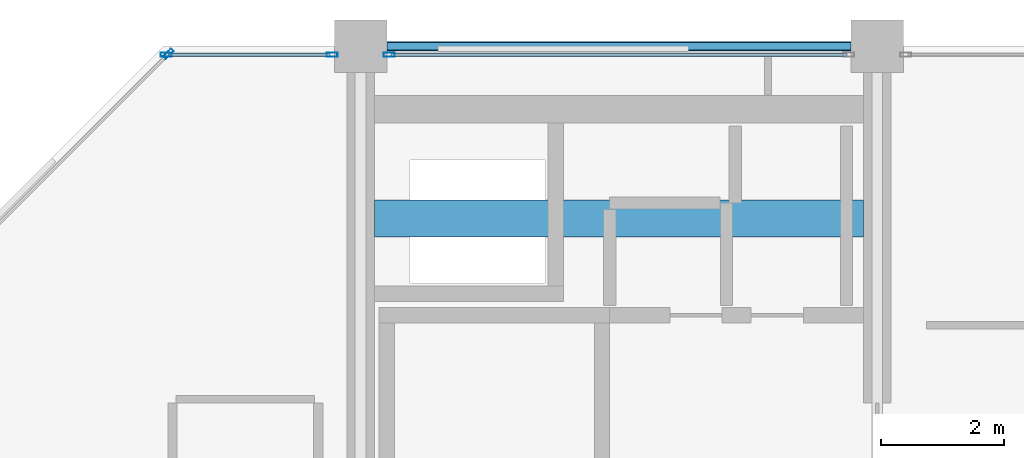
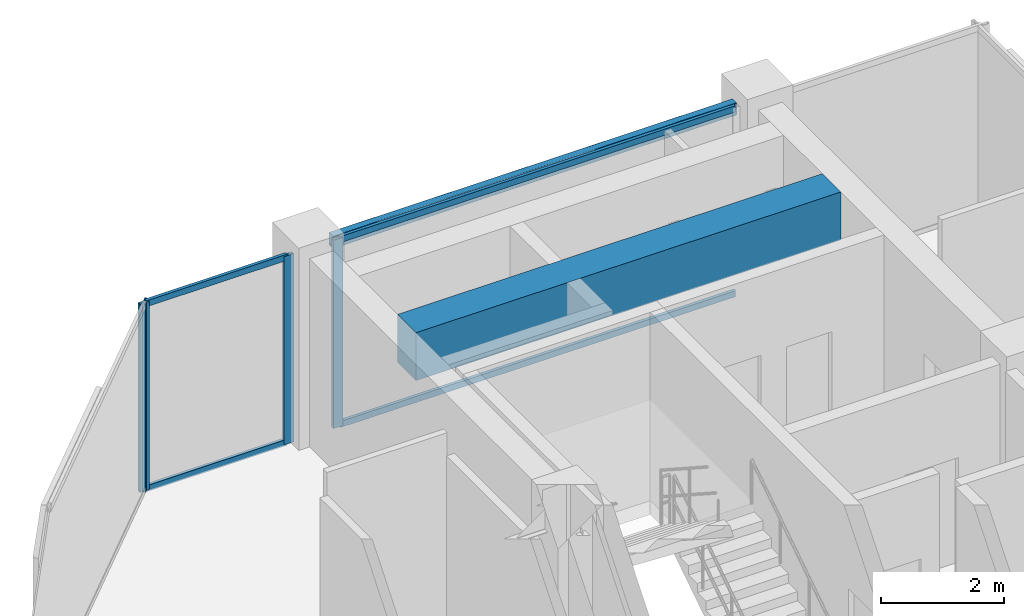
# One storey, part 17 of 24: 8 members, 2 beams, 3 elements without a shape of their own.
"""IFC4 building model written with IfcOpenShell, lengths in metres."""

import ifcopenshell
import ifcopenshell.guid

model = None  # the IFC model being written
_history = None  # IfcOwnerHistory: only IFC2X3 demands one
_inside = {}  # id of a spatial element -> (the spatial element, [elements in it])
_under = {}  # id of a project, library or spatial element -> (it, [spatial elements below it])
_declared = {}  # id of a project -> (the project, [libraries it declares])
_typed = {}  # id of a type object -> (the type object, [elements of that type])
_made_of = {}  # id of a material, layer set ... -> (it, [elements and type objects made of it])


def new_model(schema):
    """Start an empty IFC model of exactly this schema.

    Asked for "IFC4X3", IfcOpenShell would pick the latest addendum, in which some entities
    have other attributes; the version numbers below select the first issue.
    IFC2X3 requires an IfcOwnerHistory on every rooted entity: one is made here for all.
    """
    global model, _history
    if schema == "IFC4X3":
        model = ifcopenshell.file(schema_version=(4, 3, 0, 0))
    else:
        model = ifcopenshell.file(schema=schema)
    _inside.clear()
    _under.clear()
    _declared.clear()
    _typed.clear()
    _made_of.clear()
    _history = None
    if model.schema == "IFC2X3":
        org = make("IfcOrganization", Name="unknown")
        user = make(
            "IfcPersonAndOrganization",
            ThePerson=make("IfcPerson", FamilyName="unknown"),
            TheOrganization=org,
        )
        app = make(
            "IfcApplication",
            ApplicationDeveloper=org,
            Version="unknown",
            ApplicationFullName="unknown",
            ApplicationIdentifier="unknown",
        )
        _history = make(
            "IfcOwnerHistory",
            OwningUser=user,
            OwningApplication=app,
            ChangeAction="ADDED",
            CreationDate=0,
        )
    return model


def make(cls, **values):
    """One entity of the class cls with the attributes given. An attribute that is None is left unset."""
    return model.create_entity(
        cls, **{name: value for name, value in values.items() if value is not None}
    )


def rooted(cls, **values):
    """An entity with a GlobalId (a new one), such as an element, a storey or a relation."""
    return make(cls, GlobalId=ifcopenshell.guid.new(), OwnerHistory=_history, **values)


def si_unit(unit_type, name, prefix=None):
    """IfcSIUnit, for example si_unit("LENGTHUNIT", "METRE", prefix="MILLI")."""
    return make("IfcSIUnit", UnitType=unit_type, Prefix=prefix, Name=name)


def assignment(units):
    """IfcUnitAssignment: the units of a project."""
    return None if units is None else make("IfcUnitAssignment", Units=units)


def point(xyz):
    """IfcCartesianPoint."""
    return None if xyz is None else make("IfcCartesianPoint", Coordinates=xyz)


def direction(xyz):
    """IfcDirection."""
    return None if xyz is None else make("IfcDirection", DirectionRatios=xyz)


def frame(location, z_axis=None, x_axis=None):
    """IfcAxis2Placement3D, a coordinate frame: its origin and axes. An axis left out is left unset."""
    return make(
        "IfcAxis2Placement3D",
        Location=point(location),
        Axis=direction(z_axis),
        RefDirection=direction(x_axis),
    )


def frame_2d(location, x_axis=None):
    """IfcAxis2Placement2D, a coordinate frame in the plane: its origin and x axis."""
    return make(
        "IfcAxis2Placement2D", Location=point(location), RefDirection=direction(x_axis)
    )


def origin():
    """The frame at (0, 0, 0) with its axes left unset."""
    return frame((0.0, 0.0, 0.0))


def origin_2d():
    """The frame at (0, 0) in the plane with its x axis left unset."""
    return frame_2d((0.0, 0.0))


def place(relative_to, where):
    """IfcLocalPlacement: puts the frame where relative to a parent placement (None: the world)."""
    return make(
        "IfcLocalPlacement", PlacementRelTo=relative_to, RelativePlacement=where
    )


def context(
    kind, dimensions, precision=None, world=None, true_north=None, identifier=None
):
    """IfcGeometricRepresentationContext, for example the 3D "Model" context."""
    return make(
        "IfcGeometricRepresentationContext",
        ContextIdentifier=identifier,
        ContextType=kind,
        CoordinateSpaceDimension=dimensions,
        Precision=precision,
        WorldCoordinateSystem=world,
        TrueNorth=true_north,
    )


def subcontext(parent, identifier, kind, view, scale=None):
    """IfcGeometricRepresentationSubContext, for example "Body" below "Model"."""
    return make(
        "IfcGeometricRepresentationSubContext",
        ContextIdentifier=identifier,
        ContextType=kind,
        ParentContext=parent,
        TargetScale=scale,
        TargetView=view,
    )


def project(units=None, contexts=None):
    """IfcProject with its units and contexts."""
    return rooted(
        "IfcProject",
        Name="project",
        RepresentationContexts=contexts,
        UnitsInContext=assignment(units),
    )


def spatial(cls, under=None, at=None, **own):
    """A site, building, storey or space (cls), placed at a placement, below another one or the project."""
    s = rooted(cls, ObjectPlacement=at, **own)
    if under is not None:
        _under.setdefault(under.id(), (under, []))[1].append(s)
    return s


def profile(cls, at=None, kind="AREA", **sizes):
    """A parametric profile (cls). Its sizes go by their IFC names, for example OverallWidth=200.0."""
    return make(cls, ProfileType=kind, Position=at, **sizes)


def rectangle(**sizes):
    """IfcRectangleProfileDef."""
    return profile("IfcRectangleProfileDef", **sizes)


def hollow_rectangle(**sizes):
    """IfcRectangleHollowProfileDef."""
    return profile("IfcRectangleHollowProfileDef", **sizes)


def extrude(swept, where, along, depth):
    """IfcExtrudedAreaSolid: the profile swept, set in the frame where, extruded along a direction by depth."""
    return make(
        "IfcExtrudedAreaSolid",
        SweptArea=swept,
        Position=where,
        ExtrudedDirection=direction(along),
        Depth=depth,
    )


def shape(context_of_items, identifier, shape_type, items):
    """IfcShapeRepresentation: the items that make up one representation, for example the "Body"."""
    return make(
        "IfcShapeRepresentation",
        ContextOfItems=context_of_items,
        RepresentationIdentifier=identifier,
        RepresentationType=shape_type,
        Items=items,
    )


def material(Name=None, Category=None):
    """IfcMaterial."""
    return make("IfcMaterial", Name=Name, Category=Category)


def layer(
    of_material, thickness, ventilated=None, Name=None, Category=None, Priority=None
):
    """IfcMaterialLayer: one layer of a wall or slab, of a material (None: an air gap)."""
    return make(
        "IfcMaterialLayer",
        Material=of_material,
        LayerThickness=thickness,
        IsVentilated=ventilated,
        Name=Name,
        Category=Category,
        Priority=Priority,
    )


def layer_set(layers, Name=None):
    """IfcMaterialLayerSet."""
    return make("IfcMaterialLayerSet", MaterialLayers=layers, LayerSetName=Name)


def material_profile(
    of_material, cross_section, Name=None, Category=None, Priority=None
):
    """IfcMaterialProfile: a cross section and its material."""
    return make(
        "IfcMaterialProfile",
        Name=Name,
        Material=of_material,
        Profile=cross_section,
        Priority=Priority,
        Category=Category,
    )


def profile_set(profiles, Name=None, composite=None):
    """IfcMaterialProfileSet."""
    return make(
        "IfcMaterialProfileSet",
        Name=Name,
        MaterialProfiles=profiles,
        CompositeProfile=composite,
    )


def made_of(thing, what):
    """Note that an element or type object is made of a material, layer set ...; save() writes the relation."""
    if what is not None:
        _made_of.setdefault(what.id(), (what, []))[1].append(thing)
    return thing


def type_object(cls, material=None, **own):
    """A type object (cls), such as IfcWallType, which elements share."""
    return made_of(rooted(cls, **own), material)


def element(
    cls,
    number,
    at=None,
    inside=None,
    cuts=None,
    type_object=None,
    material=None,
    context=None,
    identifier="Body",
    shape_type=None,
    held_by="IfcProductDefinitionShape",
    body=None,
    shapes=None,
    **own,
):
    """One element of the class cls, such as IfcWall. Its Tag is "e" and its number.

    at: its placement. inside: the storey or other place that contains it. cuts: it is an
    opening in that element (IfcRelVoidsElement). A single representation is given by context,
    identifier, shape_type and body (its items); several are given by shapes. held_by: the class
    of the entity that holds the representations. save() writes the other relations.
    """
    e = rooted(cls, Tag="e%d" % number, ObjectPlacement=at, **own)
    if body is not None:
        shapes = [shape(context, identifier, shape_type, body)]
    if shapes is not None:
        e.Representation = make(held_by, Representations=shapes)
    if inside is not None:
        _inside.setdefault(inside.id(), (inside, []))[1].append(e)
    if cuts is not None:
        rooted(
            "IfcRelVoidsElement", RelatingBuildingElement=cuts, RelatedOpeningElement=e
        )
    if type_object is not None:
        _typed.setdefault(type_object.id(), (type_object, []))[1].append(e)
    return made_of(e, material)


def aggregate(whole, parts):
    """IfcRelAggregates: a whole, such as a stair, and the parts it consists of."""
    return rooted("IfcRelAggregates", RelatingObject=whole, RelatedObjects=parts)


def save(model, path):
    """Write the relations noted so far, then the file.

    IfcRelAggregates (storeys below a building ...), IfcRelContainedInSpatialStructure (elements
    in a storey), IfcRelDefinesByType, IfcRelAssociatesMaterial and IfcRelDeclares: one each for
    every whole, place, type object, material and project.
    """
    for whole, parts in _under.values():
        aggregate(whole, parts)
    for where, things in _inside.values():
        rooted(
            "IfcRelContainedInSpatialStructure",
            RelatedElements=things,
            RelatingStructure=where,
        )
    for kind, things in _typed.values():
        rooted("IfcRelDefinesByType", RelatedObjects=things, RelatingType=kind)
    for what, things in _made_of.values():
        rooted("IfcRelAssociatesMaterial", RelatedObjects=things, RelatingMaterial=what)
    for by, libraries in _declared.values():
        rooted("IfcRelDeclares", RelatingContext=by, RelatedDefinitions=libraries)
    model.write(path)


model = new_model("IFC4")

# Units and contexts
model_context = context("Model", 3, precision=1e-05, world=origin(), true_north=direction((0.0, 1.0)))
body_context = subcontext(model_context, "Body", "Model", "MODEL_VIEW")
ifc_project = project(units=[si_unit("LENGTHUNIT", "METRE"), si_unit("AREAUNIT", "SQUARE_METRE"), si_unit("VOLUMEUNIT", "CUBIC_METRE"), si_unit("PLANEANGLEUNIT", "RADIAN"), si_unit("MASSUNIT", "GRAM", prefix="KILO")], contexts=[model_context])

# Site, building, storey
site_placement = place(None, origin())
site = spatial("IfcSite", under=ifc_project, at=site_placement, CompositionType="ELEMENT")
building_placement = place(site_placement, origin())
building = spatial("IfcBuilding", under=site, at=building_placement, Name="Nerrivon Quay Data Exchange", CompositionType="ELEMENT")
storey_placement = place(building_placement, frame((0.0, 0.0, 310.199951171875)))
storey = spatial("IfcBuildingStorey", under=building, at=storey_placement, Name="L74", CompositionType="ELEMENT", Elevation=310.199951171875)

# Beams
ifc_material_1 = material(Name="Concrete N50 (50 MPa)", Category="concrete")
ifc_material_profile_1 = material_profile(ifc_material_1, rectangle(XDim=0.60009765625, YDim=0.949951171875, at=origin_2d()), Name="RC-CB-600x950")
ifc_profile_set_1 = profile_set([ifc_material_profile_1], Name="Concrete N50 (50 MPa)")
beam_type_1 = type_object("IfcBeamType", Name="BM-CB2-600x950", PredefinedType="LINTEL", material=ifc_profile_set_1)
beam_1_placement = place(storey_placement, frame((8.625, 39.199951171875, 3.25), z_axis=(1.0, 0.0, 0.0), x_axis=(0.0, 1.0, 0.0)))
element("IfcBeam", 1, at=beam_1_placement, inside=storey, type_object=beam_type_1, Name="L74 West Core Coupling Beam", PredefinedType="LINTEL", context=body_context, shape_type="SweptSolid", body=[
    extrude(rectangle(XDim=0.60009765625, YDim=0.949951171875, at=origin_2d()), origin(), (0.0, 0.0, 1.0), 7.949951171875),
])
ifc_material_2 = material(Name="Steel Grade C350L0 (350 MPa)", Category="steel")
ifc_material_profile_2 = material_profile(ifc_material_2, hollow_rectangle(XDim=0.14990234375, YDim=0.25, WallThickness=0.009033203125, InnerFilletRadius=0.013427734375, OuterFilletRadius=0.0224609375, at=origin_2d()), Name="250x150x9.0RHS")
ifc_profile_set_2 = profile_set([ifc_material_profile_2], Name="Steel Grade C350L0 (350 MPa)")
beam_type_2 = type_object("IfcBeamType", Name="BM-SP4-250x150RHS", PredefinedType="SPANDREL", material=ifc_profile_set_2)
beam_2_placement = place(storey_placement, frame((8.824951171875, 42.0, 3.60009765625), z_axis=(1.0, 0.0, 0.0), x_axis=(0.0, 1.0, 0.0)))
element("IfcBeam", 2, at=beam_2_placement, inside=storey, type_object=beam_type_2, Name="L74 EW Girder Y=42.0 (8.4..16.8)", PredefinedType="SPANDREL", context=body_context, shape_type="SweptSolid", body=[
    extrude(hollow_rectangle(XDim=0.14990234375, YDim=0.25, WallThickness=0.009033203125, InnerFilletRadius=0.013427734375, OuterFilletRadius=0.0224609375, at=origin_2d()), origin(), (0.0, 0.0, 1.0), 7.550048828125),
])

# Curtain wall, member
ifc_material_3 = material(Name="Anodised aluminium 6063-T6", Category="aluminium")
ifc_layer = layer(ifc_material_3, 0.195068359375)
ifc_layer_set = layer_set([ifc_layer], Name="Anodised aluminium 6063-T6")
curtain_wall_type = type_object("IfcCurtainWallType", Name="CW-SYS-06", PredefinedType="NOTDEFINED", material=ifc_layer_set)
curtain_wall_1_placement = place(storey_placement, origin())
curtain_wall_1 = element("IfcCurtainWall", 3, at=curtain_wall_1_placement, inside=storey, type_object=curtain_wall_type, Name="L74 Unitised Curtain Wall 13", PredefinedType="NOTDEFINED")
ifc_material_profile_3 = material_profile(ifc_material_3, hollow_rectangle(XDim=0.06494140625, YDim=0.179931640625, WallThickness=0.00341796875, at=origin_2d()), Name="ALU-MULL-180x65")
ifc_profile_set_3 = profile_set([ifc_material_profile_3], Name="Anodised aluminium 6063-T6")
member_type_1 = type_object("IfcMemberType", Name="CWM-180x65", PredefinedType="MULLION", material=ifc_profile_set_3)
member_1_placement = place(storey_placement, frame((5.2724609375, 41.87451171875, 0.0), z_axis=(0.0, 0.0, 1.0), x_axis=(-0.707106781187, 0.707106781187, 0.0)))
member_1 = element("IfcMember", 4, at=member_1_placement, type_object=member_type_1, Name="CW06 mullion 2", PredefinedType="MULLION", context=body_context, shape_type="SweptSolid", body=[
    extrude(hollow_rectangle(XDim=0.06494140625, YDim=0.179931640625, WallThickness=0.00341796875, at=origin_2d()), origin(), (0.0, 0.0, 1.0), 3.72509765625),
])
aggregate(curtain_wall_1, [member_1])

# Curtain wall, members
curtain_wall_2_placement = place(storey_placement, origin())
curtain_wall_2 = element("IfcCurtainWall", 5, at=curtain_wall_2_placement, inside=storey, type_object=curtain_wall_type, Name="L74 Unitised Curtain Wall 14", PredefinedType="NOTDEFINED")
member_2_placement = place(storey_placement, frame((5.237548828125, 41.860107421875, 0.0), z_axis=(0.0, 0.0, 1.0), x_axis=(0.0, 1.0, 0.0)))
member_2 = element("IfcMember", 6, at=member_2_placement, type_object=member_type_1, Name="CW06 mullion 1", PredefinedType="MULLION", context=body_context, shape_type="SweptSolid", body=[
    extrude(hollow_rectangle(XDim=0.06494140625, YDim=0.179931640625, WallThickness=0.00341796875, at=origin_2d()), origin(), (0.0, 0.0, 1.0), 3.72509765625),
])
member_3_placement = place(storey_placement, frame((7.9375, 41.860107421875, 0.0), z_axis=(0.0, 0.0, 1.0), x_axis=(0.0, 1.0, 0.0)))
member_3 = element("IfcMember", 7, at=member_3_placement, type_object=member_type_1, Name="CW06 mullion 2", PredefinedType="MULLION", context=body_context, shape_type="SweptSolid", body=[
    extrude(hollow_rectangle(XDim=0.06494140625, YDim=0.179931640625, WallThickness=0.00341796875, at=origin_2d()), origin(), (0.0, 0.0, 1.0), 3.72509765625),
])

# Curtain wall, member
curtain_wall_3_placement = place(storey_placement, origin())
curtain_wall_3 = element("IfcCurtainWall", 8, at=curtain_wall_3_placement, inside=storey, type_object=curtain_wall_type, Name="L74 Unitised Curtain Wall 15", PredefinedType="NOTDEFINED")
member_4_placement = place(storey_placement, frame((8.862548828125, 41.860107421875, 0.0), z_axis=(0.0, 0.0, 1.0), x_axis=(0.0, 1.0, 0.0)))
member_4 = element("IfcMember", 9, at=member_4_placement, type_object=member_type_1, Name="CW06 mullion 1", PredefinedType="MULLION", context=body_context, shape_type="SweptSolid", body=[
    extrude(hollow_rectangle(XDim=0.06494140625, YDim=0.179931640625, WallThickness=0.00341796875, at=origin_2d()), origin(), (0.0, 0.0, 1.0), 3.72509765625),
])

# Member
ifc_material_profile_4 = material_profile(ifc_material_3, hollow_rectangle(XDim=0.06005859375, YDim=0.1201171875, WallThickness=0.003173828125, at=origin_2d()), Name="ALU-TRAN-120x60")
ifc_profile_set_4 = profile_set([ifc_material_profile_4], Name="Anodised aluminium 6063-T6")
member_type_2 = type_object("IfcMemberType", Name="CWT-120x60", PredefinedType="USERDEFINED", material=ifc_profile_set_4)
member_5_placement = place(storey_placement, frame((5.27490234375, 41.860107421875, 0.032470703125), z_axis=(1.0, 0.0, 0.0), x_axis=(0.0, 1.0, 0.0)))
member_5 = element("IfcMember", 10, at=member_5_placement, type_object=member_type_2, Name="CW06 transom 1.1", ObjectType="TRANSOM", PredefinedType="USERDEFINED", context=body_context, shape_type="SweptSolid", body=[
    extrude(hollow_rectangle(XDim=0.06005859375, YDim=0.1201171875, WallThickness=0.003173828125, at=origin_2d()), origin(), (0.0, 0.0, 1.0), 2.625),
])

member_6_placement = place(storey_placement, frame((5.27490234375, 41.860107421875, 3.692626953125), z_axis=(1.0, 0.0, 0.0), x_axis=(0.0, 1.0, 0.0)))
member_6 = element("IfcMember", 11, at=member_6_placement, type_object=member_type_2, Name="CW06 transom 1.2", ObjectType="TRANSOM", PredefinedType="USERDEFINED", context=body_context, shape_type="SweptSolid", body=[
    extrude(hollow_rectangle(XDim=0.06005859375, YDim=0.1201171875, WallThickness=0.003173828125, at=origin_2d()), origin(), (0.0, 0.0, 1.0), 2.625),
])

aggregate(curtain_wall_2, [member_2, member_3, member_5, member_6])

member_7_placement = place(storey_placement, frame((8.89990234375, 41.860107421875, 0.032470703125), z_axis=(1.0, 0.0, 0.0), x_axis=(0.0, 1.0, 0.0)))
member_7 = element("IfcMember", 12, at=member_7_placement, type_object=member_type_2, Name="CW06 transom 1.1", ObjectType="TRANSOM", PredefinedType="USERDEFINED", context=body_context, shape_type="SweptSolid", body=[
    extrude(hollow_rectangle(XDim=0.06005859375, YDim=0.1201171875, WallThickness=0.003173828125, at=origin_2d()), origin(), (0.0, 0.0, 1.0), 7.400146484375),
])

member_8_placement = place(storey_placement, frame((8.89990234375, 41.860107421875, 3.692626953125), z_axis=(1.0, 0.0, 0.0), x_axis=(0.0, 1.0, 0.0)))
member_8 = element("IfcMember", 13, at=member_8_placement, type_object=member_type_2, Name="CW06 transom 1.2", ObjectType="TRANSOM", PredefinedType="USERDEFINED", context=body_context, shape_type="SweptSolid", body=[
    extrude(hollow_rectangle(XDim=0.06005859375, YDim=0.1201171875, WallThickness=0.003173828125, at=origin_2d()), origin(), (0.0, 0.0, 1.0), 7.400146484375),
])

aggregate(curtain_wall_3, [member_4, member_7, member_8])

save(model, "model.ifc")
